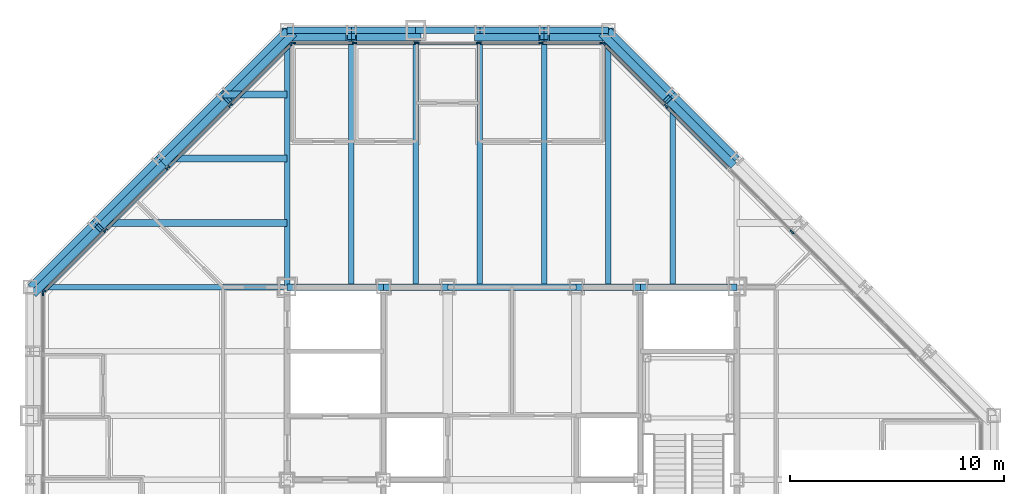
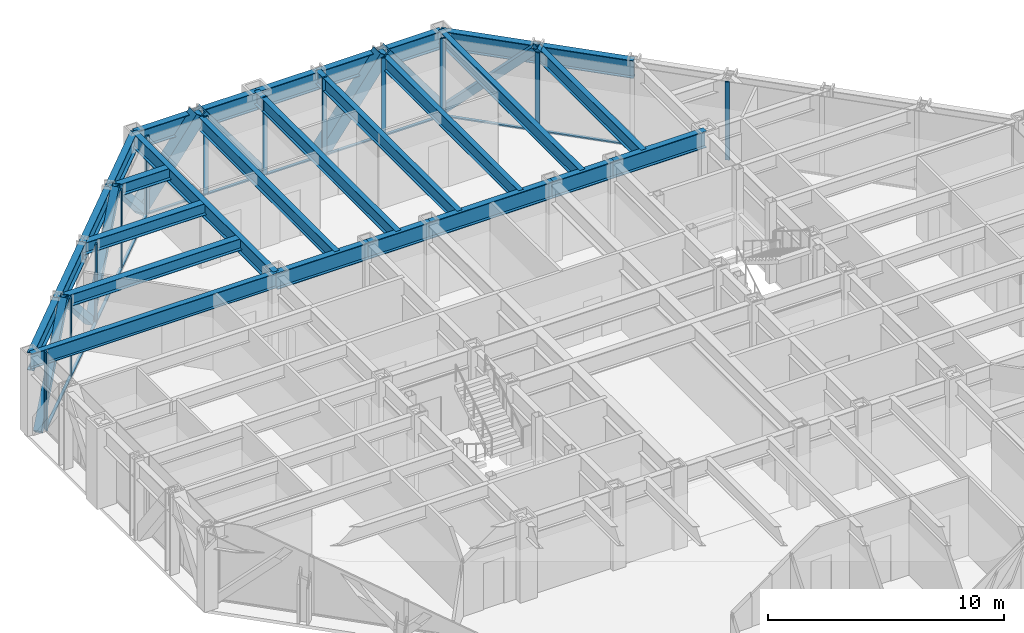
# One storey, part 7 of 15: 36 members, 27 beams, 4 elements without a shape of their own.
"""IFC4 building model written with IfcOpenShell, lengths in metres."""

from ifc_helpers import new_model, si_unit, direction, frame, origin, origin_2d, place, context, subcontext, project, spatial, rectangle, hollow_rectangle, i_section, extrude, material, layer, layer_set, material_profile, profile_set, type_object, element, aggregate, save


model = new_model("IFC4")

# Units and contexts
model_context = context("Model", 3, precision=1e-05, world=origin(), true_north=direction((0.0, 1.0)))
body_context = subcontext(model_context, "Body", "Model", "MODEL_VIEW")
ifc_project = project(units=[si_unit("LENGTHUNIT", "METRE"), si_unit("AREAUNIT", "SQUARE_METRE"), si_unit("VOLUMEUNIT", "CUBIC_METRE"), si_unit("PLANEANGLEUNIT", "RADIAN"), si_unit("MASSUNIT", "GRAM", prefix="KILO")], contexts=[model_context])

# Site, building, storey
site_placement = place(None, origin())
site = spatial("IfcSite", under=ifc_project, at=site_placement, CompositionType="ELEMENT")
building_placement = place(site_placement, origin())
building = spatial("IfcBuilding", under=site, at=building_placement, Name="Chuquiago Exchange Tower", CompositionType="ELEMENT")
storey_placement = place(building_placement, frame((0.0, 0.0, 184.5)))
storey = spatial("IfcBuildingStorey", under=building, at=storey_placement, Name="L40", CompositionType="ELEMENT", Elevation=184.5)

# Beams
ifc_material_1 = material(Name="Steel ASTM A992", Category="steel")
ifc_material_profile_1 = material_profile(ifc_material_1, i_section(OverallWidth=0.25390625, OverallDepth=0.683349609375, WebThickness=0.012451171875, FlangeThickness=0.018798828125, at=origin_2d()), Name="W27X94")
ifc_profile_set_1 = profile_set([ifc_material_profile_1], Name="Steel ASTM A992")
beam_type_1 = type_object("IfcBeamType", Name="B1 W27X94", PredefinedType="BEAM", material=ifc_profile_set_1)
for number, where, z_axis, x_axis, name in (
    (1, (15.0, 33.0, 3.698486328125), (0.0, 1.0, 0.0), (-1.0, 0.0, 0.0), "FB-L41-infill-15_33-15_45-0"),
    (2, (18.0, 33.0, 3.698486328125), (0.0, 1.0, 0.0), (-1.0, 0.0, 0.0), "FB-L41-infill-18_33-18_45-0"),
    (3, (21.0, 33.0, 3.698486328125), (0.0, 1.0, 0.0), (-1.0, 0.0, 0.0), "FB-L41-infill-21_33-21_45-0"),
    (4, (24.0, 33.0, 3.698486328125), (0.0, 1.0, 0.0), (-1.0, 0.0, 0.0), "FB-L41-infill-24_33-24_45-0"),
    (5, (27.0, 33.0, 3.698486328125), (0.0, 1.0, 0.0), (-1.0, 0.0, 0.0), "FB-L41-infill-27_33-27_45-0"),
):
    element("IfcBeam", number, at=place(storey_placement, frame(where, z_axis=z_axis, x_axis=x_axis)), inside=storey, type_object=beam_type_1, Name=name, PredefinedType="BEAM", context=body_context, shape_type="SweptSolid", body=[
        extrude(i_section(OverallWidth=0.25390625, OverallDepth=0.683349609375, WebThickness=0.012451171875, FlangeThickness=0.018798828125, at=origin_2d()), origin(), (0.0, 0.0, 1.0), 12.0),
    ])
beam_1_placement = place(storey_placement, frame((30.0, 33.0, 3.698486328125), z_axis=(0.0, 1.0, 0.0), x_axis=(-1.0, 0.0, 0.0)))
element("IfcBeam", 6, at=beam_1_placement, inside=storey, type_object=beam_type_1, Name="FB-L41-infill-30_33-30_42-0", PredefinedType="BEAM", context=body_context, shape_type="SweptSolid", body=[
    extrude(i_section(OverallWidth=0.25390625, OverallDepth=0.683349609375, WebThickness=0.012451171875, FlangeThickness=0.018798828125, at=origin_2d()), origin(), (0.0, 0.0, 1.0), 9.0),
])
ifc_material_2 = material(Name="Steel ASTM A992", Category="steel")
ifc_material_profile_2 = material_profile(ifc_material_2, i_section(OverallWidth=0.3251953125, OverallDepth=0.612060546875, WebThickness=0.0126953125, FlangeThickness=0.01904296875, at=origin_2d()), Name="W24X104")
ifc_profile_set_2 = profile_set([ifc_material_profile_2], Name="Steel ASTM A992")
beam_type_2 = type_object("IfcBeamType", Name="B2 W24X104", PredefinedType="BEAM", material=ifc_profile_set_2)
beam_2_placement = place(storey_placement, frame((12.0, 36.0, 3.73388671875), z_axis=(-1.0, 0.0, 0.0), x_axis=(0.0, -1.0, 0.0)))
element("IfcBeam", 7, at=beam_2_placement, inside=storey, type_object=beam_type_2, Name="FB-L41-corner-12_36-3_36-0", PredefinedType="BEAM", context=body_context, shape_type="SweptSolid", body=[
    extrude(i_section(OverallWidth=0.3251953125, OverallDepth=0.612060546875, WebThickness=0.0126953125, FlangeThickness=0.01904296875, at=origin_2d()), origin(), (0.0, 0.0, 1.0), 9.0),
])
beam_3_placement = place(storey_placement, frame((12.0, 39.0, 3.73388671875), z_axis=(-1.0, 0.0, 0.0), x_axis=(0.0, -1.0, 0.0)))
element("IfcBeam", 8, at=beam_3_placement, inside=storey, type_object=beam_type_2, Name="FB-L41-corner-12_39-6_39-0", PredefinedType="BEAM", context=body_context, shape_type="SweptSolid", body=[
    extrude(i_section(OverallWidth=0.3251953125, OverallDepth=0.612060546875, WebThickness=0.0126953125, FlangeThickness=0.01904296875, at=origin_2d()), origin(), (0.0, 0.0, 1.0), 6.0),
])
beam_4_placement = place(storey_placement, frame((12.0, 42.0, 3.73388671875), z_axis=(-1.0, 0.0, 0.0), x_axis=(0.0, -1.0, 0.0)))
element("IfcBeam", 9, at=beam_4_placement, inside=storey, type_object=beam_type_2, Name="FB-L41-corner-12_42-9_42-0", PredefinedType="BEAM", context=body_context, shape_type="SweptSolid", body=[
    extrude(i_section(OverallWidth=0.3251953125, OverallDepth=0.612060546875, WebThickness=0.0126953125, FlangeThickness=0.01904296875, at=origin_2d()), origin(), (0.0, 0.0, 1.0), 3.0),
])
ifc_material_3 = material(Name="Steel ASTM A992", Category="steel")
ifc_material_profile_3 = material_profile(ifc_material_3, i_section(OverallWidth=0.2919921875, OverallDepth=0.8583984375, WebThickness=0.01708984375, FlangeThickness=0.031005859375, at=origin_2d()), Name="W33X169")
ifc_profile_set_3 = profile_set([ifc_material_profile_3], Name="Steel ASTM A992")
beam_type_3 = type_object("IfcBeamType", Name="B3 W33X169", PredefinedType="BEAM", material=ifc_profile_set_3)
beam_5_placement = place(storey_placement, frame((12.0, 33.0, 3.610595703125), z_axis=(1.0, 0.0, 0.0), x_axis=(0.0, 1.0, 0.0)))
element("IfcBeam", 10, at=beam_5_placement, inside=storey, type_object=beam_type_3, Name="CB-L41-12_33-16.5_33", PredefinedType="BEAM", context=body_context, shape_type="SweptSolid", body=[
    extrude(i_section(OverallWidth=0.2919921875, OverallDepth=0.8583984375, WebThickness=0.01708984375, FlangeThickness=0.031005859375, at=origin_2d()), origin(), (0.0, 0.0, 1.0), 4.5),
])
beam_6_placement = place(storey_placement, frame((16.5, 33.0, 3.610595703125), z_axis=(1.0, 0.0, 0.0), x_axis=(0.0, 1.0, 0.0)))
element("IfcBeam", 11, at=beam_6_placement, inside=storey, type_object=beam_type_3, Name="CB-L41-16.5_33-19.5_33", PredefinedType="BEAM", context=body_context, shape_type="SweptSolid", body=[
    extrude(i_section(OverallWidth=0.2919921875, OverallDepth=0.8583984375, WebThickness=0.01708984375, FlangeThickness=0.031005859375, at=origin_2d()), origin(), (0.0, 0.0, 1.0), 3.0),
])
beam_7_placement = place(storey_placement, frame((19.5, 33.0, 3.610595703125), z_axis=(1.0, 0.0, 0.0), x_axis=(0.0, 1.0, 0.0)))
element("IfcBeam", 12, at=beam_7_placement, inside=storey, type_object=beam_type_3, Name="CB-L41-19.5_33-25.5_33", PredefinedType="BEAM", context=body_context, shape_type="SweptSolid", body=[
    extrude(i_section(OverallWidth=0.2919921875, OverallDepth=0.8583984375, WebThickness=0.01708984375, FlangeThickness=0.031005859375, at=origin_2d()), origin(), (0.0, 0.0, 1.0), 6.0),
])
beam_8_placement = place(storey_placement, frame((25.5, 33.0, 3.610595703125), z_axis=(1.0, 0.0, 0.0), x_axis=(0.0, 1.0, 0.0)))
element("IfcBeam", 13, at=beam_8_placement, inside=storey, type_object=beam_type_3, Name="CB-L41-25.5_33-28.5_33", PredefinedType="BEAM", context=body_context, shape_type="SweptSolid", body=[
    extrude(i_section(OverallWidth=0.2919921875, OverallDepth=0.8583984375, WebThickness=0.01708984375, FlangeThickness=0.031005859375, at=origin_2d()), origin(), (0.0, 0.0, 1.0), 3.0),
])
beam_9_placement = place(storey_placement, frame((28.5, 33.0, 3.610595703125), z_axis=(1.0, 0.0, 0.0), x_axis=(0.0, 1.0, 0.0)))
element("IfcBeam", 14, at=beam_9_placement, inside=storey, type_object=beam_type_3, Name="CB-L41-28.5_33-33_33", PredefinedType="BEAM", context=body_context, shape_type="SweptSolid", body=[
    extrude(i_section(OverallWidth=0.2919921875, OverallDepth=0.8583984375, WebThickness=0.01708984375, FlangeThickness=0.031005859375, at=origin_2d()), origin(), (0.0, 0.0, 1.0), 4.5),
])

# Curtain wall, members
ifc_material_4 = material(Name="Aluminium curtain wall system", Category="aluminium")
ifc_layer_1 = layer(ifc_material_4, 0.22509765625)
ifc_layer_set_1 = layer_set([ifc_layer_1], Name="CW2 office curtain wall")
curtain_wall_type_1 = type_object("IfcCurtainWallType", Name="CW2 office curtain wall", PredefinedType="NOTDEFINED", material=ifc_layer_set_1)
curtain_wall_1_placement = place(storey_placement, origin())
curtain_wall_1 = element("IfcCurtainWall", 15, at=curtain_wall_1_placement, inside=storey, type_object=curtain_wall_type_1, Name="CW2 curtain wall L40", PredefinedType="NOTDEFINED")
ifc_material_5 = material(Name="Aluminium mullion, pale anodised", Category="aluminium")
ifc_material_profile_4 = material_profile(ifc_material_5, rectangle(XDim=0.06494140625, YDim=0.22509765625, at=origin_2d()), Name="AL 65x225")
ifc_profile_set_4 = profile_set([ifc_material_profile_4], Name="Aluminium mullion, pale anodised")
member_type_1 = type_object("IfcMemberType", Name="CW2-M mullion 65x225", PredefinedType="MULLION", material=ifc_profile_set_4)
member_1_placement = place(storey_placement, frame((26.718994140625, 44.39990234375, 0.0), z_axis=(0.0, 0.0, 1.0), x_axis=(0.0, -1.0, 0.0)))
member_1 = element("IfcMember", 16, at=member_1_placement, type_object=member_type_1, Name="CW2 mullion 1", PredefinedType="MULLION", context=body_context, shape_type="SweptSolid", body=[
    extrude(rectangle(XDim=0.06494140625, YDim=0.22509765625, at=origin_2d()), origin(), (0.0, 0.0, 1.0), 4.0400390625),
])
member_2_placement = place(storey_placement, frame((23.850830078125, 44.39990234375, 0.0), z_axis=(0.0, 0.0, 1.0), x_axis=(0.0, -1.0, 0.0)))
member_2 = element("IfcMember", 17, at=member_2_placement, type_object=member_type_1, Name="CW2 mullion 2", PredefinedType="MULLION", context=body_context, shape_type="SweptSolid", body=[
    extrude(rectangle(XDim=0.06494140625, YDim=0.22509765625, at=origin_2d()), origin(), (0.0, 0.0, 1.0), 4.0400390625),
])
member_3_placement = place(storey_placement, frame((20.9501953125, 44.39990234375, 0.0), z_axis=(0.0, 0.0, 1.0), x_axis=(0.0, -1.0, 0.0)))
member_3 = element("IfcMember", 18, at=member_3_placement, type_object=member_type_1, Name="CW2 mullion 3", PredefinedType="MULLION", context=body_context, shape_type="SweptSolid", body=[
    extrude(rectangle(XDim=0.06494140625, YDim=0.22509765625, at=origin_2d()), origin(), (0.0, 0.0, 1.0), 4.0400390625),
])
member_4_placement = place(storey_placement, frame((18.0498046875, 44.39990234375, 0.0), z_axis=(0.0, 0.0, 1.0), x_axis=(0.0, -1.0, 0.0)))
member_4 = element("IfcMember", 19, at=member_4_placement, type_object=member_type_1, Name="CW2 mullion 4", PredefinedType="MULLION", context=body_context, shape_type="SweptSolid", body=[
    extrude(rectangle(XDim=0.06494140625, YDim=0.22509765625, at=origin_2d()), origin(), (0.0, 0.0, 1.0), 4.0400390625),
])
member_5_placement = place(storey_placement, frame((15.149169921875, 44.39990234375, 0.0), z_axis=(0.0, 0.0, 1.0), x_axis=(0.0, -1.0, 0.0)))
member_5 = element("IfcMember", 20, at=member_5_placement, type_object=member_type_1, Name="CW2 mullion 5", PredefinedType="MULLION", context=body_context, shape_type="SweptSolid", body=[
    extrude(rectangle(XDim=0.06494140625, YDim=0.22509765625, at=origin_2d()), origin(), (0.0, 0.0, 1.0), 4.0400390625),
])
member_6_placement = place(storey_placement, frame((12.281005859375, 44.39990234375, 0.0), z_axis=(0.0, 0.0, 1.0), x_axis=(0.0, -1.0, 0.0)))
member_6 = element("IfcMember", 21, at=member_6_placement, type_object=member_type_1, Name="CW2 mullion 6", PredefinedType="MULLION", context=body_context, shape_type="SweptSolid", body=[
    extrude(rectangle(XDim=0.06494140625, YDim=0.22509765625, at=origin_2d()), origin(), (0.0, 0.0, 1.0), 4.0400390625),
])

# Curtain wall, member
curtain_wall_2_placement = place(storey_placement, origin())
curtain_wall_2 = element("IfcCurtainWall", 22, at=curtain_wall_2_placement, inside=storey, type_object=curtain_wall_type_1, Name="CW2 curtain wall L40", PredefinedType="NOTDEFINED")
member_7_placement = place(storey_placement, frame((0.60009765625, 32.718994140625, 0.0), z_axis=(0.0, 0.0, 1.0), x_axis=(1.0, 0.0, 0.0)))
member_7 = element("IfcMember", 23, at=member_7_placement, type_object=member_type_1, Name="CW2 mullion 1", PredefinedType="MULLION", context=body_context, shape_type="SweptSolid", body=[
    extrude(rectangle(XDim=0.06494140625, YDim=0.22509765625, at=origin_2d()), origin(), (0.0, 0.0, 1.0), 4.0400390625),
])
aggregate(curtain_wall_2, [member_7])

# Member
ifc_material_6 = material(Name="Aluminium transom, pale anodised", Category="aluminium")
ifc_material_profile_5 = material_profile(ifc_material_6, rectangle(XDim=0.139892578125, YDim=0.06494140625, at=origin_2d()), Name="AL 140x65")
ifc_profile_set_5 = profile_set([ifc_material_profile_5], Name="Aluminium transom, pale anodised")
member_type_2 = type_object("IfcMemberType", Name="CW2-T transom 65x140", PredefinedType="MULLION", material=ifc_profile_set_5)
member_8_placement = place(storey_placement, frame((26.6865234375, 44.39990234375, 0.032470703125), z_axis=(-1.0, 0.0, 0.0), x_axis=(0.0, -1.0, 0.0)))
member_8 = element("IfcMember", 24, at=member_8_placement, type_object=member_type_2, Name="CW2 transom 1.1", PredefinedType="MULLION", context=body_context, shape_type="SweptSolid", body=[
    extrude(rectangle(XDim=0.139892578125, YDim=0.06494140625, at=origin_2d()), origin(), (0.0, 0.0, 1.0), 2.80322265625),
])

member_9_placement = place(storey_placement, frame((23.818359375, 44.39990234375, 0.032470703125), z_axis=(-1.0, 0.0, 0.0), x_axis=(0.0, -1.0, 0.0)))
member_9 = element("IfcMember", 25, at=member_9_placement, type_object=member_type_2, Name="CW2 transom 2.1", PredefinedType="MULLION", context=body_context, shape_type="SweptSolid", body=[
    extrude(rectangle(XDim=0.139892578125, YDim=0.06494140625, at=origin_2d()), origin(), (0.0, 0.0, 1.0), 2.83544921875),
])

member_10_placement = place(storey_placement, frame((20.917724609375, 44.39990234375, 0.032470703125), z_axis=(-1.0, 0.0, 0.0), x_axis=(0.0, -1.0, 0.0)))
member_10 = element("IfcMember", 26, at=member_10_placement, type_object=member_type_2, Name="CW2 transom 3.1", PredefinedType="MULLION", context=body_context, shape_type="SweptSolid", body=[
    extrude(rectangle(XDim=0.139892578125, YDim=0.06494140625, at=origin_2d()), origin(), (0.0, 0.0, 1.0), 2.83544921875),
])

member_11_placement = place(storey_placement, frame((18.01708984375, 44.39990234375, 0.032470703125), z_axis=(-1.0, 0.0, 0.0), x_axis=(0.0, -1.0, 0.0)))
member_11 = element("IfcMember", 27, at=member_11_placement, type_object=member_type_2, Name="CW2 transom 4.1", PredefinedType="MULLION", context=body_context, shape_type="SweptSolid", body=[
    extrude(rectangle(XDim=0.139892578125, YDim=0.06494140625, at=origin_2d()), origin(), (0.0, 0.0, 1.0), 2.83544921875),
])

member_12_placement = place(storey_placement, frame((15.11669921875, 44.39990234375, 0.032470703125), z_axis=(-1.0, 0.0, 0.0), x_axis=(0.0, -1.0, 0.0)))
member_12 = element("IfcMember", 28, at=member_12_placement, type_object=member_type_2, Name="CW2 transom 5.1", PredefinedType="MULLION", context=body_context, shape_type="SweptSolid", body=[
    extrude(rectangle(XDim=0.139892578125, YDim=0.06494140625, at=origin_2d()), origin(), (0.0, 0.0, 1.0), 2.80322265625),
])

aggregate(curtain_wall_1, [member_1, member_2, member_3, member_4, member_5, member_6, member_8, member_9, member_10, member_11, member_12])

# Curtain wall, members
ifc_material_7 = material(Name="Aluminium curtain wall system", Category="aluminium")
ifc_layer_2 = layer(ifc_material_7, 0.199951171875)
ifc_layer_set_2 = layer_set([ifc_layer_2], Name="CW3 facet curtain wall")
curtain_wall_type_2 = type_object("IfcCurtainWallType", Name="CW3 facet curtain wall", PredefinedType="NOTDEFINED", material=ifc_layer_set_2)
curtain_wall_3_placement = place(storey_placement, origin())
curtain_wall_3 = element("IfcCurtainWall", 29, at=curtain_wall_3_placement, inside=storey, type_object=curtain_wall_type_2, Name="CW3 curtain wall L40", PredefinedType="NOTDEFINED")
ifc_material_8 = material(Name="Aluminium mullion, pale anodised", Category="aluminium")
ifc_material_profile_6 = material_profile(ifc_material_8, rectangle(XDim=0.06494140625, YDim=0.199951171875, at=origin_2d()), Name="AL 65x200")
ifc_profile_set_6 = profile_set([ifc_material_profile_6], Name="Aluminium mullion, pale anodised")
member_type_3 = type_object("IfcMemberType", Name="CW3-M mullion 65x200", PredefinedType="MULLION", material=ifc_profile_set_6)
member_13_placement = place(storey_placement, frame((35.57568359375, 35.57568359375, 0.0), z_axis=(0.0, 0.0, 1.0), x_axis=(-0.707106781187, -0.707106781187, 0.0)))
member_13 = element("IfcMember", 30, at=member_13_placement, type_object=member_type_3, Name="CW3 mullion 4", PredefinedType="MULLION", context=body_context, shape_type="SweptSolid", body=[
    extrude(rectangle(XDim=0.06494140625, YDim=0.199951171875, at=origin_2d()), origin(), (0.0, 0.0, 1.0), 4.0400390625),
])
member_14_placement = place(storey_placement, frame((29.69287109375, 41.45849609375, 0.0), z_axis=(0.0, 0.0, 1.0), x_axis=(-0.707106781187, -0.707106781187, 0.0)))
member_14 = element("IfcMember", 31, at=member_14_placement, type_object=member_type_3, Name="CW3 mullion 6", PredefinedType="MULLION", context=body_context, shape_type="SweptSolid", body=[
    extrude(rectangle(XDim=0.06494140625, YDim=0.199951171875, at=origin_2d()), origin(), (0.0, 0.0, 1.0), 4.0400390625),
])
member_15_placement = place(storey_placement, frame((26.7744140625, 44.376953125, 0.0), z_axis=(0.0, 0.0, 1.0), x_axis=(-0.707106781187, -0.707106781187, 0.0)))
member_15 = element("IfcMember", 32, at=member_15_placement, type_object=member_type_3, Name="CW3 mullion 7", PredefinedType="MULLION", context=body_context, shape_type="SweptSolid", body=[
    extrude(rectangle(XDim=0.06494140625, YDim=0.199951171875, at=origin_2d()), origin(), (0.0, 0.0, 1.0), 4.0400390625),
])

curtain_wall_4_placement = place(storey_placement, origin())
curtain_wall_4 = element("IfcCurtainWall", 33, at=curtain_wall_4_placement, inside=storey, type_object=curtain_wall_type_2, Name="CW3 curtain wall L40", PredefinedType="NOTDEFINED")
member_16_placement = place(storey_placement, frame((12.2255859375, 44.376953125, 0.0), z_axis=(0.0, 0.0, 1.0), x_axis=(0.707106781187, -0.707106781187, 0.0)))
member_16 = element("IfcMember", 34, at=member_16_placement, type_object=member_type_3, Name="CW3 mullion 1", PredefinedType="MULLION", context=body_context, shape_type="SweptSolid", body=[
    extrude(rectangle(XDim=0.06494140625, YDim=0.199951171875, at=origin_2d()), origin(), (0.0, 0.0, 1.0), 4.0400390625),
])
member_17_placement = place(storey_placement, frame((9.33642578125, 41.48779296875, 0.0), z_axis=(0.0, 0.0, 1.0), x_axis=(0.707106781187, -0.707106781187, 0.0)))
member_17 = element("IfcMember", 35, at=member_17_placement, type_object=member_type_3, Name="CW3 mullion 2", PredefinedType="MULLION", context=body_context, shape_type="SweptSolid", body=[
    extrude(rectangle(XDim=0.06494140625, YDim=0.199951171875, at=origin_2d()), origin(), (0.0, 0.0, 1.0), 4.0400390625),
])
member_18_placement = place(storey_placement, frame((6.42431640625, 38.57568359375, 0.0), z_axis=(0.0, 0.0, 1.0), x_axis=(0.707106781187, -0.707106781187, 0.0)))
member_18 = element("IfcMember", 36, at=member_18_placement, type_object=member_type_3, Name="CW3 mullion 3", PredefinedType="MULLION", context=body_context, shape_type="SweptSolid", body=[
    extrude(rectangle(XDim=0.06494140625, YDim=0.199951171875, at=origin_2d()), origin(), (0.0, 0.0, 1.0), 4.0400390625),
])
member_19_placement = place(storey_placement, frame((3.51220703125, 35.66357421875, 0.0), z_axis=(0.0, 0.0, 1.0), x_axis=(0.707106781187, -0.707106781187, 0.0)))
member_19 = element("IfcMember", 37, at=member_19_placement, type_object=member_type_3, Name="CW3 mullion 4", PredefinedType="MULLION", context=body_context, shape_type="SweptSolid", body=[
    extrude(rectangle(XDim=0.06494140625, YDim=0.199951171875, at=origin_2d()), origin(), (0.0, 0.0, 1.0), 4.0400390625),
])
member_20_placement = place(storey_placement, frame((0.623046875, 32.7744140625, 0.0), z_axis=(0.0, 0.0, 1.0), x_axis=(0.707106781187, -0.707106781187, 0.0)))
member_20 = element("IfcMember", 38, at=member_20_placement, type_object=member_type_3, Name="CW3 mullion 5", PredefinedType="MULLION", context=body_context, shape_type="SweptSolid", body=[
    extrude(rectangle(XDim=0.06494140625, YDim=0.199951171875, at=origin_2d()), origin(), (0.0, 0.0, 1.0), 4.0400390625),
])

# Member
ifc_material_9 = material(Name="Aluminium transom, pale anodised", Category="aluminium")
ifc_material_profile_7 = material_profile(ifc_material_9, rectangle(XDim=0.139892578125, YDim=0.06494140625, at=origin_2d()), Name="AL 140x65")
ifc_profile_set_7 = profile_set([ifc_material_profile_7], Name="Aluminium transom, pale anodised")
member_type_4 = type_object("IfcMemberType", Name="CW3-T transom 65x140", PredefinedType="MULLION", material=ifc_profile_set_7)
member_21_placement = place(storey_placement, frame((32.611328125, 38.5400390625, 0.032470703125), z_axis=(-0.707106781187, 0.707106781187, 0.0), x_axis=(-0.707106781187, -0.707106781187, 0.0)))
member_21 = element("IfcMember", 39, at=member_21_placement, type_object=member_type_4, Name="CW3 transom 5.1", PredefinedType="MULLION", context=body_context, shape_type="SweptSolid", body=[
    extrude(rectangle(XDim=0.139892578125, YDim=0.06494140625, at=origin_2d()), origin(), (0.0, 0.0, 1.0), 4.094970703125),
])

member_22_placement = place(storey_placement, frame((29.669921875, 41.4814453125, 0.032470703125), z_axis=(-0.707106781187, 0.707106781187, 0.0), x_axis=(-0.707106781187, -0.707106781187, 0.0)))
member_22 = element("IfcMember", 40, at=member_22_placement, type_object=member_type_4, Name="CW3 transom 6.1", PredefinedType="MULLION", context=body_context, shape_type="SweptSolid", body=[
    extrude(rectangle(XDim=0.139892578125, YDim=0.06494140625, at=origin_2d()), origin(), (0.0, 0.0, 1.0), 4.0625),
])

aggregate(curtain_wall_3, [member_13, member_14, member_15, member_21, member_22])

member_23_placement = place(storey_placement, frame((12.20263671875, 44.35400390625, 0.032470703125), z_axis=(-0.707106781187, -0.707106781187, 0.0), x_axis=(0.707106781187, -0.707106781187, 0.0)))
member_23 = element("IfcMember", 41, at=member_23_placement, type_object=member_type_4, Name="CW3 transom 1.1", PredefinedType="MULLION", context=body_context, shape_type="SweptSolid", body=[
    extrude(rectangle(XDim=0.139892578125, YDim=0.06494140625, at=origin_2d()), origin(), (0.0, 0.0, 1.0), 4.02099609375),
])

member_24_placement = place(storey_placement, frame((9.3134765625, 41.46484375, 0.032470703125), z_axis=(-0.707106781187, -0.707106781187, 0.0), x_axis=(0.707106781187, -0.707106781187, 0.0)))
member_24 = element("IfcMember", 42, at=member_24_placement, type_object=member_type_4, Name="CW3 transom 2.1", PredefinedType="MULLION", context=body_context, shape_type="SweptSolid", body=[
    extrude(rectangle(XDim=0.139892578125, YDim=0.06494140625, at=origin_2d()), origin(), (0.0, 0.0, 1.0), 4.053466796875),
])

member_25_placement = place(storey_placement, frame((6.4013671875, 38.552734375, 0.032470703125), z_axis=(-0.707106781187, -0.707106781187, 0.0), x_axis=(0.707106781187, -0.707106781187, 0.0)))
member_25 = element("IfcMember", 43, at=member_25_placement, type_object=member_type_4, Name="CW3 transom 3.1", PredefinedType="MULLION", context=body_context, shape_type="SweptSolid", body=[
    extrude(rectangle(XDim=0.139892578125, YDim=0.06494140625, at=origin_2d()), origin(), (0.0, 0.0, 1.0), 4.053466796875),
])

member_26_placement = place(storey_placement, frame((3.4892578125, 35.640625, 0.032470703125), z_axis=(-0.707106781187, -0.707106781187, 0.0), x_axis=(0.707106781187, -0.707106781187, 0.0)))
member_26 = element("IfcMember", 44, at=member_26_placement, type_object=member_type_4, Name="CW3 transom 4.1", PredefinedType="MULLION", context=body_context, shape_type="SweptSolid", body=[
    extrude(rectangle(XDim=0.139892578125, YDim=0.06494140625, at=origin_2d()), origin(), (0.0, 0.0, 1.0), 4.02099609375),
])

aggregate(curtain_wall_4, [member_16, member_17, member_18, member_19, member_20, member_23, member_24, member_25, member_26])

# Beams
ifc_material_10 = material(Name="Steel ASTM A992", Category="steel")
ifc_material_profile_8 = material_profile(ifc_material_10, i_section(OverallWidth=0.2666015625, OverallDepth=0.76953125, WebThickness=0.015625, FlangeThickness=0.025390625, at=origin_2d()), Name="W30X132")
ifc_profile_set_8 = profile_set([ifc_material_profile_8], Name="Steel ASTM A992")
beam_type_4 = type_object("IfcBeamType", Name="G1 W30X132", PredefinedType="BEAM", material=ifc_profile_set_8)
for number, where, z_axis, x_axis, name in (
    (45, (12.0, 33.0, 3.6552734375), (0.0, 1.0, 0.0), (-1.0, 0.0, 0.0), "FB-L41-girder-12_33-12_45-0"),
    (46, (12.0, 33.0, 3.6552734375), (-1.0, 0.0, 0.0), (0.0, -1.0, 0.0), "FB-L41-girder-12_33--0_33-0"),
):
    element("IfcBeam", number, at=place(storey_placement, frame(where, z_axis=z_axis, x_axis=x_axis)), inside=storey, type_object=beam_type_4, Name=name, PredefinedType="BEAM", context=body_context, shape_type="SweptSolid", body=[
        extrude(i_section(OverallWidth=0.2666015625, OverallDepth=0.76953125, WebThickness=0.015625, FlangeThickness=0.025390625, at=origin_2d()), origin(), (0.0, 0.0, 1.0), 12.0),
    ])

# Members
ifc_material_11 = material(Name="Steel ASTM A500 Grade C", Category="steel")
ifc_material_profile_9 = material_profile(ifc_material_11, hollow_rectangle(XDim=0.355712890625, YDim=0.355712890625, WallThickness=0.0146484375, at=origin_2d()), Name="HSS14X14X5/8")
ifc_profile_set_9 = profile_set([ifc_material_profile_9], Name="Steel ASTM A500 Grade C")
member_type_5 = type_object("IfcMemberType", Name="LB2 HSS14X14X5/8", PredefinedType="BRACE", material=ifc_profile_set_9)
for number, where, z_axis, x_axis, name in (
    (47, (32.7685546875, 38.7685546875, 0.0), (-0.512077265487, 0.512077265487, 0.689604051861), (-0.707106781187, -0.707106781187, 0.0), "LB-L40-33_39-30_42"),
    (48, (26.7685546875, 44.7685546875, 0.0), (0.512077265487, -0.512077265487, 0.689604051861), (0.707106781187, 0.707106781187, 0.0), "LB-L40-30_42-27_45"),
    (49, (12.2314453125, 44.7685546875, 0.0), (-0.512077265487, -0.512077265487, 0.689604051861), (0.707106781187, -0.707106781187, 0.0), "LB-L40-12_45-9_42"),
    (50, (6.2314453125, 38.7685546875, 0.0), (0.512077265487, 0.512077265487, 0.689604051861), (-0.707106781187, 0.707106781187, 0.0), "LB-L40-9_42-6_39"),
    (51, (6.2314453125, 38.7685546875, 0.0), (-0.512077265487, -0.512077265487, 0.689604051861), (0.707106781187, -0.707106781187, 0.0), "LB-L40-6_39-3_36"),
    (52, (0.2314453125, 32.7685546875, 0.0), (0.512077265487, 0.512077265487, 0.689604051861), (-0.707106781187, 0.707106781187, 0.0), "LB-L40-3_36-0_33"),
):
    element("IfcMember", number, at=place(storey_placement, frame(where, z_axis=z_axis, x_axis=x_axis)), inside=storey, type_object=member_type_5, Name=name, PredefinedType="BRACE", context=body_context, shape_type="SweptSolid", body=[
        extrude(hollow_rectangle(XDim=0.355712890625, YDim=0.355712890625, WallThickness=0.0146484375, at=origin_2d()), origin(), (0.0, 0.0, 1.0), 5.8583984375),
    ])
ifc_material_12 = material(Name="Steel ASTM A572 Grade 50", Category="steel")
ifc_material_profile_10 = material_profile(ifc_material_12, hollow_rectangle(XDim=0.60009765625, YDim=0.60009765625, WallThickness=0.06005859375, at=origin_2d()), Name="BOX600X600X60")
ifc_profile_set_10 = profile_set([ifc_material_profile_10], Name="Steel ASTM A572 Grade 50")
member_type_6 = type_object("IfcMemberType", Name="MB3 BOX600X600X60", PredefinedType="BRACE", material=ifc_profile_set_10)
for number, where, z_axis, x_axis, name in (
    (53, (27.0, 44.794921875, 0.0), (-0.596173923302, 0.0, 0.802855312728), (0.0, -1.0, 0.0), "Mega diagonal L40 N face"),
    (54, (21.0, 44.794921875, 0.0), (0.596173923302, 0.0, 0.802855312728), (0.0, 1.0, 0.0), "Mega diagonal L40 N face"),
    (55, (18.0, 44.794921875, 0.0), (-0.596173923302, 0.0, 0.802855312728), (0.0, -1.0, 0.0), "Mega diagonal L40 N face"),
    (56, (12.0, 44.794921875, 0.0), (0.596173923302, 0.0, 0.802855312728), (0.0, 1.0, 0.0), "Mega diagonal L40 N face"),
):
    element("IfcMember", number, at=place(storey_placement, frame(where, z_axis=z_axis, x_axis=x_axis)), inside=storey, type_object=member_type_6, Name=name, PredefinedType="BRACE", context=body_context, shape_type="SweptSolid", body=[
        extrude(hollow_rectangle(XDim=0.60009765625, YDim=0.60009765625, WallThickness=0.06005859375, at=origin_2d()), origin(), (0.0, 0.0, 1.0), 5.031982421875),
    ])

# Beams
ifc_material_13 = material(Name="Steel ASTM A992", Category="steel")
ifc_material_profile_11 = material_profile(ifc_material_13, i_section(OverallWidth=0.307373046875, OverallDepth=0.927001953125, WebThickness=0.01953125, FlangeThickness=0.031982421875, at=origin_2d()), Name="W36X194")
ifc_profile_set_11 = profile_set([ifc_material_profile_11], Name="Steel ASTM A992")
beam_type_5 = type_object("IfcBeamType", Name="SP3 W36X194", PredefinedType="SPANDREL", material=ifc_profile_set_11)
for number, where, z_axis, x_axis, name in (
    (57, (33.0, 39.0, 3.576416015625), (-0.707106781187, 0.707106781187, 0.0), (-0.707106781187, -0.707106781187, 0.0), "SPB-L41-33_39-30_42"),
    (58, (30.0, 42.0, 3.576416015625), (-0.707106781187, 0.707106781187, 0.0), (-0.707106781187, -0.707106781187, 0.0), "SPB-L41-30_42-27_45"),
):
    element("IfcBeam", number, at=place(storey_placement, frame(where, z_axis=z_axis, x_axis=x_axis)), inside=storey, type_object=beam_type_5, Name=name, PredefinedType="SPANDREL", context=body_context, shape_type="SweptSolid", body=[
        extrude(i_section(OverallWidth=0.307373046875, OverallDepth=0.927001953125, WebThickness=0.01953125, FlangeThickness=0.031982421875, at=origin_2d()), origin(), (0.0, 0.0, 1.0), 4.24267578125),
    ])
for number, where, z_axis, x_axis, name in (
    (59, (27.0, 45.0, 3.576416015625), (-1.0, 0.0, 0.0), (0.0, -1.0, 0.0), "SPB-L41-27_45-24_45"),
    (60, (24.0, 45.0, 3.576416015625), (-1.0, 0.0, 0.0), (0.0, -1.0, 0.0), "SPB-L41-24_45-21_45"),
    (61, (21.0, 45.0, 3.576416015625), (-1.0, 0.0, 0.0), (0.0, -1.0, 0.0), "SPB-L41-21_45-18_45"),
    (62, (18.0, 45.0, 3.576416015625), (-1.0, 0.0, 0.0), (0.0, -1.0, 0.0), "SPB-L41-18_45-15_45"),
    (63, (15.0, 45.0, 3.576416015625), (-1.0, 0.0, 0.0), (0.0, -1.0, 0.0), "SPB-L41-15_45-12_45"),
):
    element("IfcBeam", number, at=place(storey_placement, frame(where, z_axis=z_axis, x_axis=x_axis)), inside=storey, type_object=beam_type_5, Name=name, PredefinedType="SPANDREL", context=body_context, shape_type="SweptSolid", body=[
        extrude(i_section(OverallWidth=0.307373046875, OverallDepth=0.927001953125, WebThickness=0.01953125, FlangeThickness=0.031982421875, at=origin_2d()), origin(), (0.0, 0.0, 1.0), 3.0),
    ])
for number, where, z_axis, x_axis, name in (
    (64, (12.0, 45.0, 3.576416015625), (-0.707106781187, -0.707106781187, 0.0), (0.707106781187, -0.707106781187, 0.0), "SPB-L41-12_45-9_42"),
    (65, (9.0, 42.0, 3.576416015625), (-0.707106781187, -0.707106781187, 0.0), (0.707106781187, -0.707106781187, 0.0), "SPB-L41-9_42-6_39"),
    (66, (6.0, 39.0, 3.576416015625), (-0.707106781187, -0.707106781187, 0.0), (0.707106781187, -0.707106781187, 0.0), "SPB-L41-6_39-3_36"),
    (67, (3.0, 36.0, 3.576416015625), (-0.707106781187, -0.707106781187, 0.0), (0.707106781187, -0.707106781187, 0.0), "SPB-L41-3_36-0_33"),
):
    element("IfcBeam", number, at=place(storey_placement, frame(where, z_axis=z_axis, x_axis=x_axis)), inside=storey, type_object=beam_type_5, Name=name, PredefinedType="SPANDREL", context=body_context, shape_type="SweptSolid", body=[
        extrude(i_section(OverallWidth=0.307373046875, OverallDepth=0.927001953125, WebThickness=0.01953125, FlangeThickness=0.031982421875, at=origin_2d()), origin(), (0.0, 0.0, 1.0), 4.24267578125),
    ])

save(model, "model.ifc")
